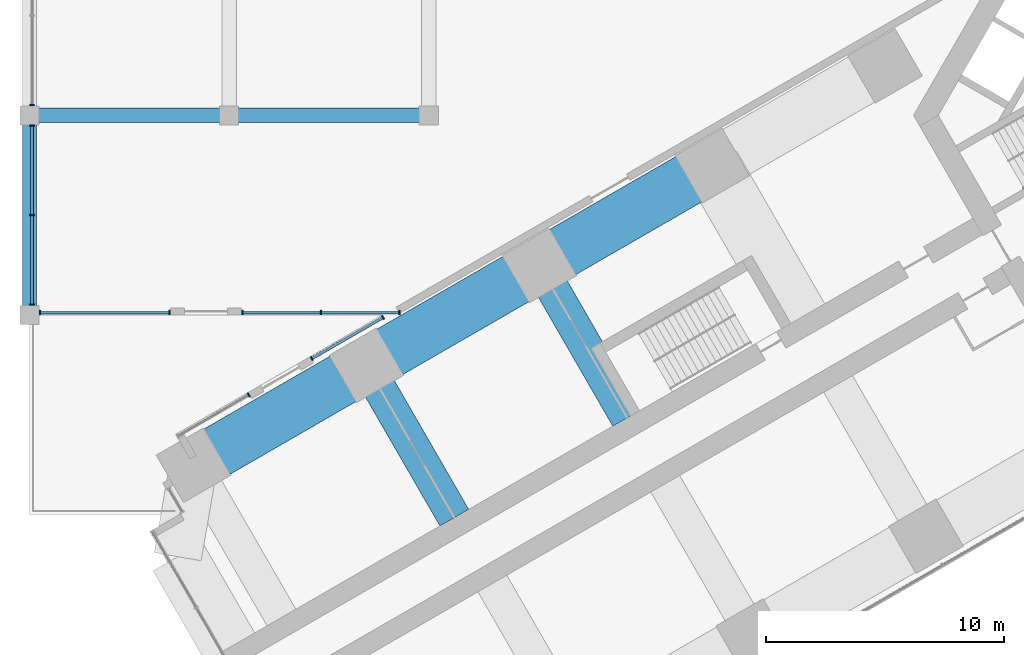
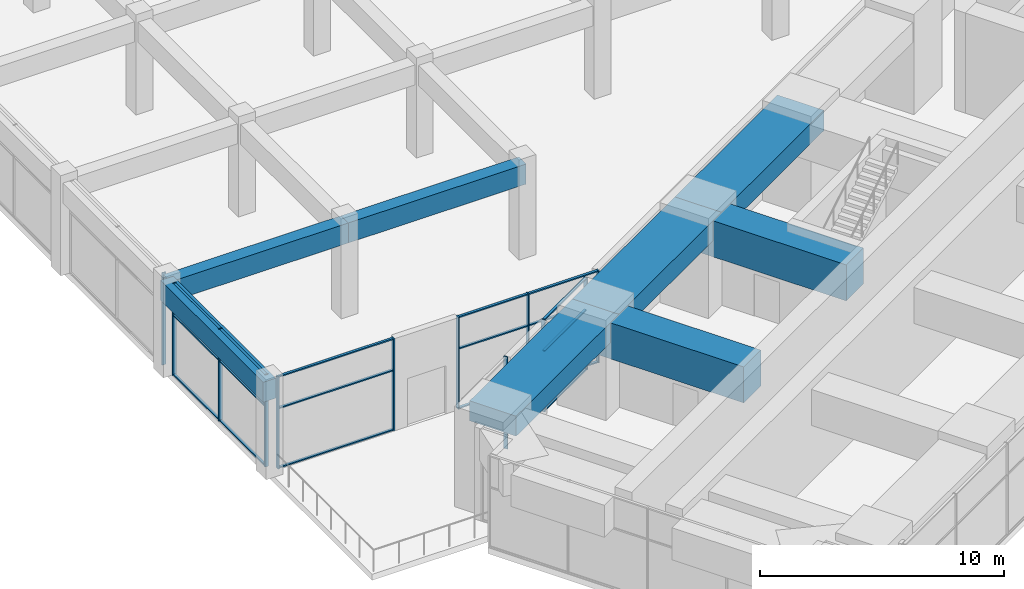
# One storey, part 3 of 33: 30 members, 8 beams, 6 elements without a shape of their own.
"""IFC4 building model written with IfcOpenShell, lengths in metres."""

from ifc_helpers import new_model, si_unit, direction, frame, origin, origin_2d, place, context, subcontext, project, spatial, rectangle, extrude, material, material_profile, profile_set, type_object, element, aggregate, save


model = new_model("IFC4")

# Units and contexts
model_context = context("Model", 3, precision=1e-05, world=origin(), true_north=direction((0.0, 1.0)))
body_context = subcontext(model_context, "Body", "Model", "MODEL_VIEW")
ifc_project = project(units=[si_unit("LENGTHUNIT", "METRE"), si_unit("AREAUNIT", "SQUARE_METRE"), si_unit("VOLUMEUNIT", "CUBIC_METRE"), si_unit("PLANEANGLEUNIT", "RADIAN"), si_unit("MASSUNIT", "GRAM", prefix="KILO")], contexts=[model_context])

# Site, building, storey
site_placement = place(None, origin())
site = spatial("IfcSite", under=ifc_project, at=site_placement, CompositionType="ELEMENT")
building_placement = place(site_placement, origin())
building = spatial("IfcBuilding", under=site, at=building_placement, Name="Impinga Residences", CompositionType="ELEMENT")
storey_placement = place(building_placement, frame((0.0, 0.0, 21.0)))
storey = spatial("IfcBuildingStorey", under=building, at=storey_placement, Name="L04", CompositionType="ELEMENT", Elevation=21.0)

# Beams
ifc_material_1 = material(Name="Concrete C60/75", Category="concrete")
ifc_material_profile_1 = material_profile(ifc_material_1, rectangle(XDim=1.39990234375, YDim=1.800048828125, at=origin_2d()), Name="RC 1400x1800")
ifc_profile_set_1 = profile_set([ifc_material_profile_1], Name="Concrete C60/75")
beam_type_1 = type_object("IfcBeamType", Name="CG4 1400x1800 cross girder on a wing bay line under the podium floors", PredefinedType="BEAM", material=ifc_profile_set_1)
for number, where, z_axis, x_axis, name in (
    (1, (-25.249267578125, -12.730224609375, 3.699951171875), (-0.499988999718, 0.866031754707, 0.0), (-0.866031754707, -0.499988999718, 0.0), "Beam CG4 W3 WC/WF level L05"),
    (2, (-32.52392578125, -16.93017578125, 3.699951171875), (-0.499988999718, 0.866031754707, 0.0), (-0.866031754707, -0.499988999718, 0.0), "Beam CG4 W4 WC/WF level L05"),
):
    element("IfcBeam", number, at=place(storey_placement, frame(where, z_axis=z_axis, x_axis=x_axis)), inside=storey, type_object=beam_type_1, Name=name, PredefinedType="BEAM", context=body_context, shape_type="SweptSolid", body=[
        extrude(rectangle(XDim=1.39990234375, YDim=1.800048828125, at=origin_2d()), origin(), (0.0, 0.0, 1.0), 7.400146484375),
    ])

# Curtain wall, member
ifc_material_2 = material(Name="Aluminium stick curtain wall", Category="aluminium")
curtain_wall_type = type_object("IfcCurtainWallType", Name="CW1 podium amenity curtain wall", PredefinedType="USERDEFINED", material=ifc_material_2)
curtain_wall_1_placement = place(storey_placement, origin())
curtain_wall_1 = element("IfcCurtainWall", 3, at=curtain_wall_1_placement, inside=storey, type_object=curtain_wall_type, Name="Curtain wall CW1 L04", ObjectType="STICK CURTAIN WALL", PredefinedType="USERDEFINED")
ifc_material_3 = material(Name="Aluminium mullion", Category="aluminium")
ifc_material_profile_2 = material_profile(ifc_material_3, rectangle(XDim=0.06005859375, YDim=0.179931640625, at=origin_2d()), Name="60x180 mullion")
ifc_profile_set_2 = profile_set([ifc_material_profile_2], Name="Aluminium mullion")
member_type_1 = type_object("IfcMemberType", Name="CW1-M mullion 60x180", PredefinedType="MULLION", material=ifc_profile_set_2)
member_1_placement = place(storey_placement, frame((-41.173828125, -11.762939453125, 0.0), z_axis=(0.0, 0.0, 1.0), x_axis=(0.866025511323, 0.499999813738, 0.0)))
member_1 = element("IfcMember", 4, at=member_1_placement, type_object=member_type_1, Name="CW1 mullion 2", PredefinedType="MULLION", context=body_context, shape_type="SweptSolid", body=[
    extrude(rectangle(XDim=0.06005859375, YDim=0.179931640625, at=origin_2d()), origin(), (0.0, 0.0, 1.0), 4.60009765625),
])
aggregate(curtain_wall_1, [member_1])

# Curtain wall, members
curtain_wall_2_placement = place(storey_placement, origin())
curtain_wall_2 = element("IfcCurtainWall", 5, at=curtain_wall_2_placement, inside=storey, type_object=curtain_wall_type, Name="Curtain wall CW1 L04", ObjectType="STICK CURTAIN WALL", PredefinedType="USERDEFINED")
member_2_placement = place(storey_placement, frame((-38.52392578125, -10.23291015625, 0.0), z_axis=(0.0, 0.0, 1.0), x_axis=(0.866025440349, 0.499999936668, 0.0)))
member_2 = element("IfcMember", 6, at=member_2_placement, type_object=member_type_1, Name="CW1 mullion 1", PredefinedType="MULLION", context=body_context, shape_type="SweptSolid", body=[
    extrude(rectangle(XDim=0.06005859375, YDim=0.179931640625, at=origin_2d()), origin(), (0.0, 0.0, 1.0), 4.60009765625),
])
member_3_placement = place(storey_placement, frame((-35.525146484375, -8.501708984375, 0.0), z_axis=(0.0, 0.0, 1.0), x_axis=(0.866025440349, 0.499999936668, 0.0)))
member_3 = element("IfcMember", 7, at=member_3_placement, type_object=member_type_1, Name="CW1 mullion 2", PredefinedType="MULLION", context=body_context, shape_type="SweptSolid", body=[
    extrude(rectangle(XDim=0.06005859375, YDim=0.179931640625, at=origin_2d()), origin(), (0.0, 0.0, 1.0), 4.60009765625),
])

curtain_wall_3_placement = place(storey_placement, origin())
curtain_wall_3 = element("IfcCurtainWall", 8, at=curtain_wall_3_placement, inside=storey, type_object=curtain_wall_type, Name="Curtain wall CW1 L04", ObjectType="STICK CURTAIN WALL", PredefinedType="USERDEFINED")
member_4_placement = place(storey_placement, frame((-34.832763671875, -8.300048828125, 0.0), z_axis=(0.0, 0.0, 1.0), x_axis=(-1.0, 0.0, 0.0)))
member_4 = element("IfcMember", 9, at=member_4_placement, type_object=member_type_1, Name="CW1 mullion 1", PredefinedType="MULLION", context=body_context, shape_type="SweptSolid", body=[
    extrude(rectangle(XDim=0.06005859375, YDim=0.179931640625, at=origin_2d()), origin(), (0.0, 0.0, 1.0), 4.60009765625),
])
member_5_placement = place(storey_placement, frame((-38.138671875, -8.300048828125, 0.0), z_axis=(0.0, 0.0, 1.0), x_axis=(-1.0, 0.0, 0.0)))
member_5 = element("IfcMember", 10, at=member_5_placement, type_object=member_type_1, Name="CW1 mullion 2", PredefinedType="MULLION", context=body_context, shape_type="SweptSolid", body=[
    extrude(rectangle(XDim=0.06005859375, YDim=0.179931640625, at=origin_2d()), origin(), (0.0, 0.0, 1.0), 4.60009765625),
])
member_6_placement = place(storey_placement, frame((-41.444580078125, -8.300048828125, 0.0), z_axis=(0.0, 0.0, 1.0), x_axis=(-1.0, 0.0, 0.0)))
member_6 = element("IfcMember", 11, at=member_6_placement, type_object=member_type_1, Name="CW1 mullion 3", PredefinedType="MULLION", context=body_context, shape_type="SweptSolid", body=[
    extrude(rectangle(XDim=0.06005859375, YDim=0.179931640625, at=origin_2d()), origin(), (0.0, 0.0, 1.0), 4.60009765625),
])

curtain_wall_4_placement = place(storey_placement, origin())
curtain_wall_4 = element("IfcCurtainWall", 12, at=curtain_wall_4_placement, inside=storey, type_object=curtain_wall_type, Name="Curtain wall CW1 L04", ObjectType="STICK CURTAIN WALL", PredefinedType="USERDEFINED")
member_7_placement = place(storey_placement, frame((-44.504638671875, -8.300048828125, 0.0), z_axis=(0.0, 0.0, 1.0), x_axis=(-1.0, 0.0, 0.0)))
member_7 = element("IfcMember", 13, at=member_7_placement, type_object=member_type_1, Name="CW1 mullion 1", PredefinedType="MULLION", context=body_context, shape_type="SweptSolid", body=[
    extrude(rectangle(XDim=0.06005859375, YDim=0.179931640625, at=origin_2d()), origin(), (0.0, 0.0, 1.0), 4.60009765625),
])
member_8_placement = place(storey_placement, frame((-49.967041015625, -8.300048828125, 0.0), z_axis=(0.0, 0.0, 1.0), x_axis=(-1.0, 0.0, 0.0)))
member_8 = element("IfcMember", 14, at=member_8_placement, type_object=member_type_1, Name="CW1 mullion 2", PredefinedType="MULLION", context=body_context, shape_type="SweptSolid", body=[
    extrude(rectangle(XDim=0.06005859375, YDim=0.179931640625, at=origin_2d()), origin(), (0.0, 0.0, 1.0), 4.60009765625),
])

curtain_wall_5_placement = place(storey_placement, origin())
curtain_wall_5 = element("IfcCurtainWall", 15, at=curtain_wall_5_placement, inside=storey, type_object=curtain_wall_type, Name="Curtain wall CW1 L04", ObjectType="STICK CURTAIN WALL", PredefinedType="USERDEFINED")
member_9_placement = place(storey_placement, frame((-50.300048828125, -7.967041015625, 0.0), z_axis=(0.0, 0.0, 1.0), x_axis=(0.0, 1.0, 0.0)))
member_9 = element("IfcMember", 16, at=member_9_placement, type_object=member_type_1, Name="CW1 mullion 1", PredefinedType="MULLION", context=body_context, shape_type="SweptSolid", body=[
    extrude(rectangle(XDim=0.06005859375, YDim=0.179931640625, at=origin_2d()), origin(), (0.0, 0.0, 1.0), 4.60009765625),
])
member_10_placement = place(storey_placement, frame((-50.300048828125, -4.199951171875, 0.0), z_axis=(0.0, 0.0, 1.0), x_axis=(0.0, 1.0, 0.0)))
member_10 = element("IfcMember", 17, at=member_10_placement, type_object=member_type_1, Name="CW1 mullion 2", PredefinedType="MULLION", context=body_context, shape_type="SweptSolid", body=[
    extrude(rectangle(XDim=0.06005859375, YDim=0.179931640625, at=origin_2d()), origin(), (0.0, 0.0, 1.0), 4.60009765625),
])
member_11_placement = place(storey_placement, frame((-50.300048828125, -0.43310546875, 0.0), z_axis=(0.0, 0.0, 1.0), x_axis=(0.0, 1.0, 0.0)))
member_11 = element("IfcMember", 18, at=member_11_placement, type_object=member_type_1, Name="CW1 mullion 3", PredefinedType="MULLION", context=body_context, shape_type="SweptSolid", body=[
    extrude(rectangle(XDim=0.06005859375, YDim=0.179931640625, at=origin_2d()), origin(), (0.0, 0.0, 1.0), 4.60009765625),
])

# Curtain wall, member
curtain_wall_6_placement = place(storey_placement, origin())
curtain_wall_6 = element("IfcCurtainWall", 19, at=curtain_wall_6_placement, inside=storey, type_object=curtain_wall_type, Name="Curtain wall CW1 L04", ObjectType="STICK CURTAIN WALL", PredefinedType="USERDEFINED")
member_12_placement = place(storey_placement, frame((-50.300048828125, 0.43310546875, 0.0), z_axis=(0.0, 0.0, 1.0), x_axis=(0.0, 1.0, 0.0)))
member_12 = element("IfcMember", 20, at=member_12_placement, type_object=member_type_1, Name="CW1 mullion 1", PredefinedType="MULLION", context=body_context, shape_type="SweptSolid", body=[
    extrude(rectangle(XDim=0.06005859375, YDim=0.179931640625, at=origin_2d()), origin(), (0.0, 0.0, 1.0), 4.60009765625),
])
aggregate(curtain_wall_6, [member_12])

# Member
ifc_material_4 = material(Name="Aluminium transom", Category="aluminium")
ifc_material_profile_3 = material_profile(ifc_material_4, rectangle(XDim=0.06005859375, YDim=0.1201171875, at=origin_2d()), Name="60x120 transom")
ifc_profile_set_3 = profile_set([ifc_material_profile_3], Name="Aluminium transom")
member_type_2 = type_object("IfcMemberType", Name="CW1-T transom 60x120", PredefinedType="USERDEFINED", material=ifc_profile_set_3)
member_13_placement = place(storey_placement, frame((-38.497802734375, -10.2177734375, 0.030029296875), z_axis=(0.86602665903, 0.499997825845, 0.0), x_axis=(0.0, 0.0, 1.0)))
member_13 = element("IfcMember", 21, at=member_13_placement, type_object=member_type_2, Name="CW1 transom 1.1", ObjectType="TRANSOM", PredefinedType="USERDEFINED", context=body_context, shape_type="SweptSolid", body=[
    extrude(rectangle(XDim=0.06005859375, YDim=0.1201171875, at=origin_2d()), origin(), (0.0, 0.0, 1.0), 3.40234375),
])

member_14_placement = place(storey_placement, frame((-38.497802734375, -10.2177734375, 3.0), z_axis=(0.86602665903, 0.499997825845, 0.0), x_axis=(0.0, 0.0, 1.0)))
member_14 = element("IfcMember", 22, at=member_14_placement, type_object=member_type_2, Name="CW1 transom 1.2", ObjectType="TRANSOM", PredefinedType="USERDEFINED", context=body_context, shape_type="SweptSolid", body=[
    extrude(rectangle(XDim=0.06005859375, YDim=0.1201171875, at=origin_2d()), origin(), (0.0, 0.0, 1.0), 3.40234375),
])

member_15_placement = place(storey_placement, frame((-38.497802734375, -10.2177734375, 4.570068359375), z_axis=(0.86602665903, 0.499997825845, 0.0), x_axis=(0.0, 0.0, 1.0)))
member_15 = element("IfcMember", 23, at=member_15_placement, type_object=member_type_2, Name="CW1 transom 1.3", ObjectType="TRANSOM", PredefinedType="USERDEFINED", context=body_context, shape_type="SweptSolid", body=[
    extrude(rectangle(XDim=0.06005859375, YDim=0.1201171875, at=origin_2d()), origin(), (0.0, 0.0, 1.0), 3.40234375),
])

aggregate(curtain_wall_2, [member_2, member_3, member_13, member_14, member_15])

member_16_placement = place(storey_placement, frame((-34.86279296875, -8.300048828125, 0.030029296875), z_axis=(-1.0, 0.0, 0.0), x_axis=(0.0, 0.0, 1.0)))
member_16 = element("IfcMember", 24, at=member_16_placement, type_object=member_type_2, Name="CW1 transom 1.1", ObjectType="TRANSOM", PredefinedType="USERDEFINED", context=body_context, shape_type="SweptSolid", body=[
    extrude(rectangle(XDim=0.06005859375, YDim=0.1201171875, at=origin_2d()), origin(), (0.0, 0.0, 1.0), 3.245849609375),
])

member_17_placement = place(storey_placement, frame((-34.86279296875, -8.300048828125, 3.0), z_axis=(-1.0, 0.0, 0.0), x_axis=(0.0, 0.0, 1.0)))
member_17 = element("IfcMember", 25, at=member_17_placement, type_object=member_type_2, Name="CW1 transom 1.2", ObjectType="TRANSOM", PredefinedType="USERDEFINED", context=body_context, shape_type="SweptSolid", body=[
    extrude(rectangle(XDim=0.06005859375, YDim=0.1201171875, at=origin_2d()), origin(), (0.0, 0.0, 1.0), 3.245849609375),
])

member_18_placement = place(storey_placement, frame((-34.86279296875, -8.300048828125, 4.570068359375), z_axis=(-1.0, 0.0, 0.0), x_axis=(0.0, 0.0, 1.0)))
member_18 = element("IfcMember", 26, at=member_18_placement, type_object=member_type_2, Name="CW1 transom 1.3", ObjectType="TRANSOM", PredefinedType="USERDEFINED", context=body_context, shape_type="SweptSolid", body=[
    extrude(rectangle(XDim=0.06005859375, YDim=0.1201171875, at=origin_2d()), origin(), (0.0, 0.0, 1.0), 3.245849609375),
])

member_19_placement = place(storey_placement, frame((-38.168701171875, -8.300048828125, 0.030029296875), z_axis=(-1.0, 0.0, 0.0), x_axis=(0.0, 0.0, 1.0)))
member_19 = element("IfcMember", 27, at=member_19_placement, type_object=member_type_2, Name="CW1 transom 2.1", ObjectType="TRANSOM", PredefinedType="USERDEFINED", context=body_context, shape_type="SweptSolid", body=[
    extrude(rectangle(XDim=0.06005859375, YDim=0.1201171875, at=origin_2d()), origin(), (0.0, 0.0, 1.0), 3.245849609375),
])

member_20_placement = place(storey_placement, frame((-38.168701171875, -8.300048828125, 3.0), z_axis=(-1.0, 0.0, 0.0), x_axis=(0.0, 0.0, 1.0)))
member_20 = element("IfcMember", 28, at=member_20_placement, type_object=member_type_2, Name="CW1 transom 2.2", ObjectType="TRANSOM", PredefinedType="USERDEFINED", context=body_context, shape_type="SweptSolid", body=[
    extrude(rectangle(XDim=0.06005859375, YDim=0.1201171875, at=origin_2d()), origin(), (0.0, 0.0, 1.0), 3.245849609375),
])

member_21_placement = place(storey_placement, frame((-38.168701171875, -8.300048828125, 4.570068359375), z_axis=(-1.0, 0.0, 0.0), x_axis=(0.0, 0.0, 1.0)))
member_21 = element("IfcMember", 29, at=member_21_placement, type_object=member_type_2, Name="CW1 transom 2.3", ObjectType="TRANSOM", PredefinedType="USERDEFINED", context=body_context, shape_type="SweptSolid", body=[
    extrude(rectangle(XDim=0.06005859375, YDim=0.1201171875, at=origin_2d()), origin(), (0.0, 0.0, 1.0), 3.245849609375),
])

aggregate(curtain_wall_3, [member_4, member_5, member_6, member_16, member_17, member_18, member_19, member_20, member_21])

member_22_placement = place(storey_placement, frame((-44.53466796875, -8.300048828125, 0.030029296875), z_axis=(-1.0, 0.0, 0.0), x_axis=(0.0, 0.0, 1.0)))
member_22 = element("IfcMember", 30, at=member_22_placement, type_object=member_type_2, Name="CW1 transom 1.1", ObjectType="TRANSOM", PredefinedType="USERDEFINED", context=body_context, shape_type="SweptSolid", body=[
    extrude(rectangle(XDim=0.06005859375, YDim=0.1201171875, at=origin_2d()), origin(), (0.0, 0.0, 1.0), 5.40234375),
])

member_23_placement = place(storey_placement, frame((-44.53466796875, -8.300048828125, 3.0), z_axis=(-1.0, 0.0, 0.0), x_axis=(0.0, 0.0, 1.0)))
member_23 = element("IfcMember", 31, at=member_23_placement, type_object=member_type_2, Name="CW1 transom 1.2", ObjectType="TRANSOM", PredefinedType="USERDEFINED", context=body_context, shape_type="SweptSolid", body=[
    extrude(rectangle(XDim=0.06005859375, YDim=0.1201171875, at=origin_2d()), origin(), (0.0, 0.0, 1.0), 5.40234375),
])

member_24_placement = place(storey_placement, frame((-44.53466796875, -8.300048828125, 4.570068359375), z_axis=(-1.0, 0.0, 0.0), x_axis=(0.0, 0.0, 1.0)))
member_24 = element("IfcMember", 32, at=member_24_placement, type_object=member_type_2, Name="CW1 transom 1.3", ObjectType="TRANSOM", PredefinedType="USERDEFINED", context=body_context, shape_type="SweptSolid", body=[
    extrude(rectangle(XDim=0.06005859375, YDim=0.1201171875, at=origin_2d()), origin(), (0.0, 0.0, 1.0), 5.40234375),
])

aggregate(curtain_wall_4, [member_7, member_8, member_22, member_23, member_24])

member_25_placement = place(storey_placement, frame((-50.300048828125, -7.93701171875, 0.030029296875), z_axis=(0.0, 1.0, 0.0), x_axis=(0.0, 0.0, 1.0)))
member_25 = element("IfcMember", 33, at=member_25_placement, type_object=member_type_2, Name="CW1 transom 1.1", ObjectType="TRANSOM", PredefinedType="USERDEFINED", context=body_context, shape_type="SweptSolid", body=[
    extrude(rectangle(XDim=0.06005859375, YDim=0.1201171875, at=origin_2d()), origin(), (0.0, 0.0, 1.0), 3.70703125),
])

member_26_placement = place(storey_placement, frame((-50.300048828125, -7.93701171875, 3.0), z_axis=(0.0, 1.0, 0.0), x_axis=(0.0, 0.0, 1.0)))
member_26 = element("IfcMember", 34, at=member_26_placement, type_object=member_type_2, Name="CW1 transom 1.2", ObjectType="TRANSOM", PredefinedType="USERDEFINED", context=body_context, shape_type="SweptSolid", body=[
    extrude(rectangle(XDim=0.06005859375, YDim=0.1201171875, at=origin_2d()), origin(), (0.0, 0.0, 1.0), 3.70703125),
])

member_27_placement = place(storey_placement, frame((-50.300048828125, -7.93701171875, 4.570068359375), z_axis=(0.0, 1.0, 0.0), x_axis=(0.0, 0.0, 1.0)))
member_27 = element("IfcMember", 35, at=member_27_placement, type_object=member_type_2, Name="CW1 transom 1.3", ObjectType="TRANSOM", PredefinedType="USERDEFINED", context=body_context, shape_type="SweptSolid", body=[
    extrude(rectangle(XDim=0.06005859375, YDim=0.1201171875, at=origin_2d()), origin(), (0.0, 0.0, 1.0), 3.70703125),
])

member_28_placement = place(storey_placement, frame((-50.300048828125, -4.169921875, 0.030029296875), z_axis=(0.0, 1.0, 0.0), x_axis=(0.0, 0.0, 1.0)))
member_28 = element("IfcMember", 36, at=member_28_placement, type_object=member_type_2, Name="CW1 transom 2.1", ObjectType="TRANSOM", PredefinedType="USERDEFINED", context=body_context, shape_type="SweptSolid", body=[
    extrude(rectangle(XDim=0.06005859375, YDim=0.1201171875, at=origin_2d()), origin(), (0.0, 0.0, 1.0), 3.70703125),
])

member_29_placement = place(storey_placement, frame((-50.300048828125, -4.169921875, 3.0), z_axis=(0.0, 1.0, 0.0), x_axis=(0.0, 0.0, 1.0)))
member_29 = element("IfcMember", 37, at=member_29_placement, type_object=member_type_2, Name="CW1 transom 2.2", ObjectType="TRANSOM", PredefinedType="USERDEFINED", context=body_context, shape_type="SweptSolid", body=[
    extrude(rectangle(XDim=0.06005859375, YDim=0.1201171875, at=origin_2d()), origin(), (0.0, 0.0, 1.0), 3.70703125),
])

member_30_placement = place(storey_placement, frame((-50.300048828125, -4.169921875, 4.570068359375), z_axis=(0.0, 1.0, 0.0), x_axis=(0.0, 0.0, 1.0)))
member_30 = element("IfcMember", 38, at=member_30_placement, type_object=member_type_2, Name="CW1 transom 2.3", ObjectType="TRANSOM", PredefinedType="USERDEFINED", context=body_context, shape_type="SweptSolid", body=[
    extrude(rectangle(XDim=0.06005859375, YDim=0.1201171875, at=origin_2d()), origin(), (0.0, 0.0, 1.0), 3.70703125),
])

aggregate(curtain_wall_5, [member_9, member_10, member_11, member_25, member_26, member_27, member_28, member_29, member_30])

# Beams
ifc_material_profile_4 = material_profile(ifc_material_1, rectangle(XDim=0.60009765625, YDim=1.0, at=origin_2d()), Name="RC 600x1000")
ifc_profile_set_4 = profile_set([ifc_material_profile_4], Name="Concrete C60/75")
beam_type_2 = type_object("IfcBeamType", Name="PB2 600x1000 podium beam", PredefinedType="BEAM", material=ifc_profile_set_4)
for number, where, z_axis, x_axis, name in (
    (39, (-50.39990234375, 0.0, 4.10009765625), (1.0, 0.0, 0.0), (0.0, 1.0, 0.0), "Beam PB2 F/1-2 level L05"),
    (40, (-42.0, 0.0, 4.10009765625), (1.0, 0.0, 0.0), (0.0, 1.0, 0.0), "Beam PB2 F/2-3 level L05"),
    (41, (-50.39990234375, -8.39990234375, 4.10009765625), (0.0, 1.0, 0.0), (-1.0, 0.0, 0.0), "Beam PB2 1/E-F level L05"),
):
    element("IfcBeam", number, at=place(storey_placement, frame(where, z_axis=z_axis, x_axis=x_axis)), inside=storey, type_object=beam_type_2, Name=name, PredefinedType="BEAM", context=body_context, shape_type="SweptSolid", body=[
        extrude(rectangle(XDim=0.60009765625, YDim=1.0, at=origin_2d()), origin(), (0.0, 0.0, 1.0), 8.39990234375),
    ])
ifc_material_profile_5 = material_profile(ifc_material_1, rectangle(XDim=2.199951171875, YDim=1.0, at=origin_2d()), Name="RC 2200x1000")
ifc_profile_set_5 = profile_set([ifc_material_profile_5], Name="Concrete C60/75")
beam_type_3 = type_object("IfcBeamType", Name="PB3 2200x1000 podium band beam", PredefinedType="BEAM", material=ifc_profile_set_5)
for number, where, z_axis, x_axis, name in (
    (42, (-21.674560546875, -2.12158203125, 4.10009765625), (-0.86602925447, -0.499993330357, 0.0), (0.499993330357, -0.86602925447, 0.0), "Beam PB3 WF W2-W3 level L05"),
    (43, (-28.94921875, -6.321533203125, 4.10009765625), (-0.86602925447, -0.499993330357, 0.0), (0.499993330357, -0.86602925447, 0.0), "Beam PB3 WF W3-W4 level L05"),
    (44, (-36.223876953125, -10.521484375, 4.10009765625), (-0.86602925447, -0.499993330357, 0.0), (0.499993330357, -0.86602925447, 0.0), "Beam PB3 WF W4-W5 level L05"),
):
    element("IfcBeam", number, at=place(storey_placement, frame(where, z_axis=z_axis, x_axis=x_axis)), inside=storey, type_object=beam_type_3, Name=name, PredefinedType="BEAM", context=body_context, shape_type="SweptSolid", body=[
        extrude(rectangle(XDim=2.199951171875, YDim=1.0, at=origin_2d()), origin(), (0.0, 0.0, 1.0), 8.39990234375),
    ])

save(model, "model.ifc")
